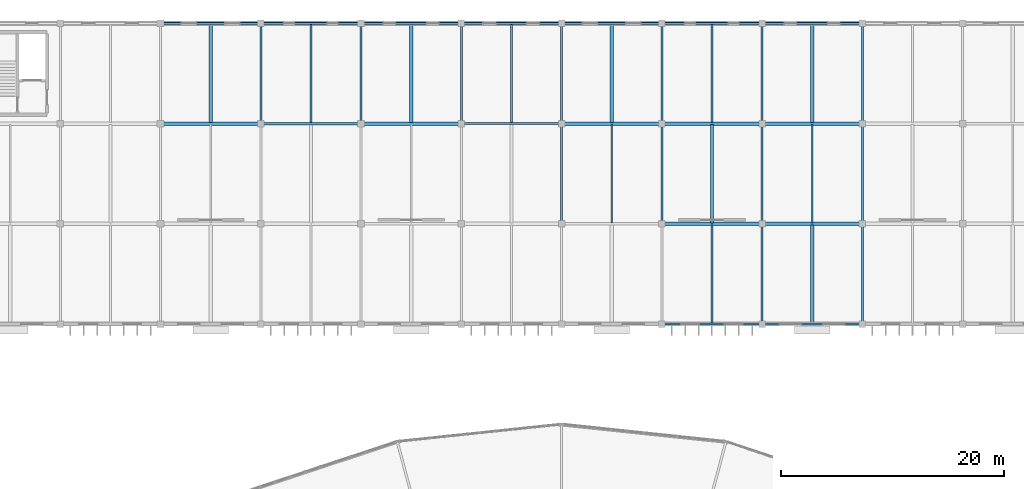
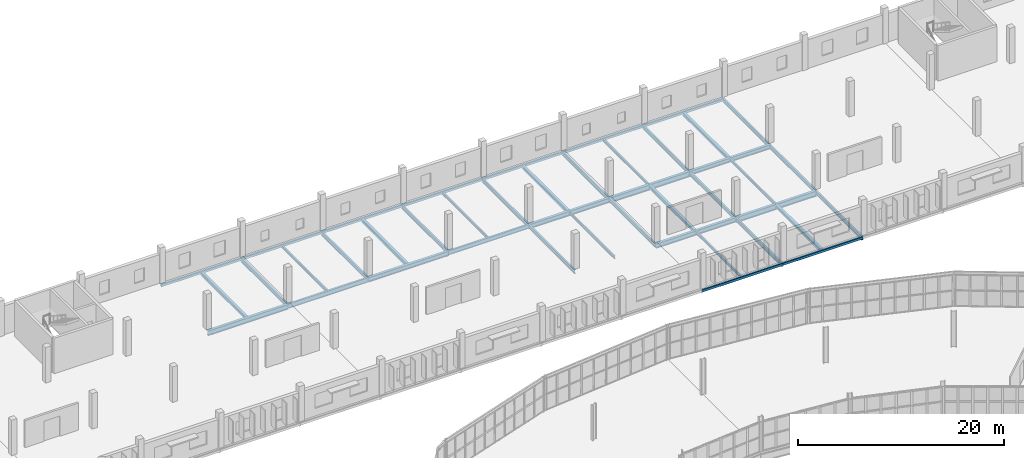
# One storey, part 100 of 161: 43 beams.
"""IFC4 building model written with IfcOpenShell, lengths in metres."""

from ifc_helpers import new_model, si_unit, direction, frame, origin, origin_2d, place, context, subcontext, project, spatial, hollow_rectangle, i_section, extrude, material, material_profile, profile_set, type_object, element, save


model = new_model("IFC4")

# Units and contexts
model_context = context("Model", 3, precision=1e-05, world=origin(), true_north=direction((0.0, 1.0)))
body_context = subcontext(model_context, "Body", "Model", "MODEL_VIEW")
ifc_project = project(units=[si_unit("LENGTHUNIT", "METRE"), si_unit("AREAUNIT", "SQUARE_METRE"), si_unit("VOLUMEUNIT", "CUBIC_METRE"), si_unit("PLANEANGLEUNIT", "RADIAN"), si_unit("MASSUNIT", "GRAM", prefix="KILO")], contexts=[model_context])

# Site, building, storey
site_placement = place(None, origin())
site = spatial("IfcSite", under=ifc_project, at=site_placement, CompositionType="ELEMENT")
building_placement = place(site_placement, origin())
building = spatial("IfcBuilding", under=site, at=building_placement, Name="Kildeholm Park Wholesale Market", CompositionType="ELEMENT")
storey_placement = place(building_placement, frame((0.0, 0.0, 5.39990234375)))
storey = spatial("IfcBuildingStorey", under=building, at=storey_placement, Name="L01", CompositionType="ELEMENT", Elevation=5.39990234375)

# Beams
ifc_material = material(Name="Steel S355", Category="steel")
ifc_material_profile_1 = material_profile(ifc_material, i_section(OverallWidth=0.18994140625, OverallDepth=0.449951171875, WebThickness=0.009521484375, FlangeThickness=0.0146484375, FilletRadius=0.02099609375, at=origin_2d()), Name="IPE 450")
ifc_profile_set_1 = profile_set([ifc_material_profile_1], Name="Steel S355")
beam_type_1 = type_object("IfcBeamType", Name="Beam B-P02 IPE 450", PredefinedType="BEAM", material=ifc_profile_set_1)
for number, where, z_axis, x_axis, name in (
    (1, (72.0, 162.0, -0.544921875), (0.0, 1.0, 0.0), (-1.0, 0.0, 0.0), "Beam BM-V4-L01-Y-072-162 BM-0566"),
    (2, (81.0, 162.0, -0.544921875), (0.0, 1.0, 0.0), (-1.0, 0.0, 0.0), "Beam BM-V4-L01-Y-081-162 BM-0576"),
    (3, (90.0, 162.0, -0.544921875), (0.0, 1.0, 0.0), (-1.0, 0.0, 0.0), "Beam BM-V4-L01-Y-090-162 BM-0586"),
    (4, (99.0, 153.0, -0.544921875), (0.0, 1.0, 0.0), (-1.0, 0.0, 0.0), "Beam BM-V4-L01-Y-099-153 BM-0593"),
    (5, (99.0, 162.0, -0.544921875), (0.0, 1.0, 0.0), (-1.0, 0.0, 0.0), "Beam BM-V4-L01-Y-099-162 BM-0596"),
    (6, (108.0, 153.0, -0.544921875), (0.0, 1.0, 0.0), (-1.0, 0.0, 0.0), "Beam BM-V4-L01-Y-108-153 BM-0603"),
    (7, (108.0, 162.0, -0.544921875), (0.0, 1.0, 0.0), (-1.0, 0.0, 0.0), "Beam BM-V4-L01-Y-108-162 BM-0606"),
    (8, (117.0, 144.0, -0.544921875), (0.0, 1.0, 0.0), (-1.0, 0.0, 0.0), "Beam BM-V4-L01-Y-117-144 BM-0610"),
    (9, (117.0, 153.0, -0.544921875), (0.0, 1.0, 0.0), (-1.0, 0.0, 0.0), "Beam BM-V4-L01-Y-117-153 BM-0613"),
    (10, (117.0, 162.0, -0.544921875), (0.0, 1.0, 0.0), (-1.0, 0.0, 0.0), "Beam BM-V4-L01-Y-117-162 BM-0616"),
    (11, (126.0, 144.0, -0.544921875), (0.0, 1.0, 0.0), (-1.0, 0.0, 0.0), "Beam BM-V4-L01-Y-126-144 BM-0620"),
    (12, (126.0, 153.0, -0.544921875), (0.0, 1.0, 0.0), (-1.0, 0.0, 0.0), "Beam BM-V4-L01-Y-126-153 BM-0623"),
    (13, (126.0, 162.0, -0.544921875), (0.0, 1.0, 0.0), (-1.0, 0.0, 0.0), "Beam BM-V4-L01-Y-126-162 BM-0626"),
):
    element("IfcBeam", number, at=place(storey_placement, frame(where, z_axis=z_axis, x_axis=x_axis)), inside=storey, type_object=beam_type_1, Name=name, PredefinedType="BEAM", context=body_context, shape_type="SweptSolid", body=[
        extrude(i_section(OverallWidth=0.18994140625, OverallDepth=0.449951171875, WebThickness=0.009521484375, FlangeThickness=0.0146484375, FilletRadius=0.02099609375, at=origin_2d()), origin(), (0.0, 0.0, 1.0), 9.0),
    ])
ifc_material_profile_2 = material_profile(ifc_material, i_section(OverallWidth=0.199951171875, OverallDepth=0.5, WebThickness=0.01025390625, FlangeThickness=0.01611328125, FilletRadius=0.02099609375, at=origin_2d()), Name="IPE 500")
ifc_profile_set_2 = profile_set([ifc_material_profile_2], Name="Steel S355")
beam_type_2 = type_object("IfcBeamType", Name="Beam B-P03 IPE 500", PredefinedType="BEAM", material=ifc_profile_set_2)
beam_1_placement = place(storey_placement, frame((90.0, 162.0, -0.56982421875), z_axis=(1.0, 0.0, 0.0), x_axis=(0.0, 1.0, 0.0)))
element("IfcBeam", 14, at=beam_1_placement, inside=storey, type_object=beam_type_2, Name="Beam BM-V4-L01-X-090-162 BM-0585", PredefinedType="BEAM", context=body_context, shape_type="SweptSolid", body=[
    extrude(i_section(OverallWidth=0.199951171875, OverallDepth=0.5, WebThickness=0.01025390625, FlangeThickness=0.01611328125, FilletRadius=0.02099609375, at=origin_2d()), origin(), (0.0, 0.0, 1.0), 9.0),
])
ifc_material_profile_3 = material_profile(ifc_material, i_section(OverallWidth=0.2099609375, OverallDepth=0.550048828125, WebThickness=0.010986328125, FlangeThickness=0.01708984375, FilletRadius=0.02392578125, at=origin_2d()), Name="IPE 550")
ifc_profile_set_3 = profile_set([ifc_material_profile_3], Name="Steel S355")
beam_type_3 = type_object("IfcBeamType", Name="Beam B-X01 IPE 550", PredefinedType="BEAM", material=ifc_profile_set_3)
beam_2_placement = place(storey_placement, frame((72.0, 162.0, -0.594970703125), z_axis=(1.0, 0.0, 0.0), x_axis=(0.0, 1.0, 0.0)))
element("IfcBeam", 15, at=beam_2_placement, inside=storey, type_object=beam_type_3, Name="Beam BM-V4-L01-X-072-162 BM-0565", PredefinedType="BEAM", context=body_context, shape_type="SweptSolid", body=[
    extrude(i_section(OverallWidth=0.2099609375, OverallDepth=0.550048828125, WebThickness=0.010986328125, FlangeThickness=0.01708984375, FilletRadius=0.02392578125, at=origin_2d()), origin(), (0.0, 0.0, 1.0), 9.0),
])
ifc_material_profile_4 = material_profile(ifc_material, i_section(OverallWidth=0.300048828125, OverallDepth=0.5400390625, WebThickness=0.012451171875, FlangeThickness=0.02392578125, FilletRadius=0.027099609375, at=origin_2d()), Name="HEA 550")
ifc_profile_set_4 = profile_set([ifc_material_profile_4], Name="Steel S355")
beam_type_4 = type_object("IfcBeamType", Name="Beam B-X02 HEA 550", PredefinedType="BEAM", material=ifc_profile_set_4)
beam_3_placement = place(storey_placement, frame((81.0, 162.0, -0.58984375), z_axis=(1.0, 0.0, 0.0), x_axis=(0.0, 1.0, 0.0)))
element("IfcBeam", 16, at=beam_3_placement, inside=storey, type_object=beam_type_4, Name="Beam BM-V4-L01-X-081-162 BM-0575", PredefinedType="BEAM", context=body_context, shape_type="SweptSolid", body=[
    extrude(i_section(OverallWidth=0.300048828125, OverallDepth=0.5400390625, WebThickness=0.012451171875, FlangeThickness=0.02392578125, FilletRadius=0.027099609375, at=origin_2d()), origin(), (0.0, 0.0, 1.0), 9.0),
])
ifc_material_profile_5 = material_profile(ifc_material, i_section(OverallWidth=0.300048828125, OverallDepth=0.550048828125, WebThickness=0.014892578125, FlangeThickness=0.029052734375, FilletRadius=0.027099609375, at=origin_2d()), Name="HEB 550")
ifc_profile_set_5 = profile_set([ifc_material_profile_5], Name="Steel S355")
beam_type_5 = type_object("IfcBeamType", Name="Beam B-X03 HEB 550", PredefinedType="BEAM", material=ifc_profile_set_5)
for number, where, z_axis, x_axis, name in (
    (17, (99.0, 162.0, -0.594970703125), (1.0, 0.0, 0.0), (0.0, 1.0, 0.0), "Beam BM-V4-L01-X-099-162 BM-0595"),
    (18, (108.0, 153.0, -0.594970703125), (1.0, 0.0, 0.0), (0.0, 1.0, 0.0), "Beam BM-V4-L01-X-108-153 BM-0602"),
):
    element("IfcBeam", number, at=place(storey_placement, frame(where, z_axis=z_axis, x_axis=x_axis)), inside=storey, type_object=beam_type_5, Name=name, PredefinedType="BEAM", context=body_context, shape_type="SweptSolid", body=[
        extrude(i_section(OverallWidth=0.300048828125, OverallDepth=0.550048828125, WebThickness=0.014892578125, FlangeThickness=0.029052734375, FilletRadius=0.027099609375, at=origin_2d()), origin(), (0.0, 0.0, 1.0), 9.0),
    ])
ifc_material_profile_6 = material_profile(ifc_material, i_section(OverallWidth=0.300048828125, OverallDepth=0.64990234375, WebThickness=0.01611328125, FlangeThickness=0.031005859375, FilletRadius=0.027099609375, at=origin_2d()), Name="HEB 650")
ifc_profile_set_6 = profile_set([ifc_material_profile_6], Name="Steel S355")
beam_type_6 = type_object("IfcBeamType", Name="Beam B-X04 HEB 650", PredefinedType="BEAM", material=ifc_profile_set_6)
for number, where, z_axis, x_axis, name in (
    (19, (108.0, 162.0, -0.64501953125), (1.0, 0.0, 0.0), (0.0, 1.0, 0.0), "Beam BM-V4-L01-X-108-162 BM-0605"),
    (20, (117.0, 153.0, -0.64501953125), (1.0, 0.0, 0.0), (0.0, 1.0, 0.0), "Beam BM-V4-L01-X-117-153 BM-0612"),
):
    element("IfcBeam", number, at=place(storey_placement, frame(where, z_axis=z_axis, x_axis=x_axis)), inside=storey, type_object=beam_type_6, Name=name, PredefinedType="BEAM", context=body_context, shape_type="SweptSolid", body=[
        extrude(i_section(OverallWidth=0.300048828125, OverallDepth=0.64990234375, WebThickness=0.01611328125, FlangeThickness=0.031005859375, FilletRadius=0.027099609375, at=origin_2d()), origin(), (0.0, 0.0, 1.0), 9.0),
    ])
ifc_material_profile_7 = material_profile(ifc_material, i_section(OverallWidth=0.300048828125, OverallDepth=0.5, WebThickness=0.014404296875, FlangeThickness=0.028076171875, FilletRadius=0.027099609375, at=origin_2d()), Name="HEB 500")
ifc_profile_set_7 = profile_set([ifc_material_profile_7], Name="Steel S355")
beam_type_7 = type_object("IfcBeamType", Name="Beam B-X05 HEB 500", PredefinedType="BEAM", material=ifc_profile_set_7)
beam_4_placement = place(storey_placement, frame((117.0, 162.0, -0.56982421875), z_axis=(1.0, 0.0, 0.0), x_axis=(0.0, 1.0, 0.0)))
element("IfcBeam", 21, at=beam_4_placement, inside=storey, type_object=beam_type_7, Name="Beam BM-V4-L01-X-117-162 BM-0615", PredefinedType="BEAM", context=body_context, shape_type="SweptSolid", body=[
    extrude(i_section(OverallWidth=0.300048828125, OverallDepth=0.5, WebThickness=0.014404296875, FlangeThickness=0.028076171875, FilletRadius=0.027099609375, at=origin_2d()), origin(), (0.0, 0.0, 1.0), 9.0),
])
ifc_material_profile_8 = material_profile(ifc_material, i_section(OverallWidth=0.300048828125, OverallDepth=0.60009765625, WebThickness=0.015380859375, FlangeThickness=0.030029296875, FilletRadius=0.027099609375, at=origin_2d()), Name="HEB 600")
ifc_profile_set_8 = profile_set([ifc_material_profile_8], Name="Steel S355")
beam_type_8 = type_object("IfcBeamType", Name="Beam B-X06 HEB 600", PredefinedType="BEAM", material=ifc_profile_set_8)
beam_5_placement = place(storey_placement, frame((63.0, 162.0, -0.619873046875), z_axis=(1.0, 0.0, 0.0), x_axis=(0.0, 1.0, 0.0)))
element("IfcBeam", 22, at=beam_5_placement, inside=storey, type_object=beam_type_8, Name="Beam BM-V4-L01-X-063-162 BM-0555", PredefinedType="BEAM", context=body_context, shape_type="SweptSolid", body=[
    extrude(i_section(OverallWidth=0.300048828125, OverallDepth=0.60009765625, WebThickness=0.015380859375, FlangeThickness=0.030029296875, FilletRadius=0.027099609375, at=origin_2d()), origin(), (0.0, 0.0, 1.0), 9.0),
])
ifc_material_profile_9 = material_profile(ifc_material, i_section(OverallWidth=0.159912109375, OverallDepth=0.330078125, WebThickness=0.007568359375, FlangeThickness=0.011474609375, FilletRadius=0.01806640625, at=origin_2d()), Name="IPE 330")
ifc_profile_set_9 = profile_set([ifc_material_profile_9], Name="Steel S355")
beam_type_9 = type_object("IfcBeamType", Name="Beam J-03 IPE 330", PredefinedType="JOIST", material=ifc_profile_set_9)
for number, where, z_axis, x_axis, name in (
    (23, (76.5, 162.0849609375, -0.48486328125), (0.0, 1.0, 0.0), (-1.0, 0.0, 0.0), "Beam JT-V4-L01-072-162 BM-0567"),
    (24, (94.5, 162.0849609375, -0.48486328125), (0.0, 1.0, 0.0), (-1.0, 0.0, 0.0), "Beam JT-V4-L01-090-162 BM-0587"),
    (25, (103.5, 153.0849609375, -0.48486328125), (0.0, 1.0, 0.0), (-1.0, 0.0, 0.0), "Beam JT-V4-L01-099-153 BM-0594"),
    (26, (112.5, 144.0849609375, -0.48486328125), (0.0, 1.0, 0.0), (-1.0, 0.0, 0.0), "Beam JT-V4-L01-108-144 BM-0601"),
    (27, (112.5, 162.0849609375, -0.48486328125), (0.0, 1.0, 0.0), (-1.0, 0.0, 0.0), "Beam JT-V4-L01-108-162 BM-0607"),
    (28, (121.5, 153.0849609375, -0.48486328125), (0.0, 1.0, 0.0), (-1.0, 0.0, 0.0), "Beam JT-V4-L01-117-153 BM-0614"),
):
    element("IfcBeam", number, at=place(storey_placement, frame(where, z_axis=z_axis, x_axis=x_axis)), inside=storey, type_object=beam_type_9, Name=name, PredefinedType="JOIST", context=body_context, shape_type="SweptSolid", body=[
        extrude(i_section(OverallWidth=0.159912109375, OverallDepth=0.330078125, WebThickness=0.007568359375, FlangeThickness=0.011474609375, FilletRadius=0.01806640625, at=origin_2d()), origin(), (0.0, 0.0, 1.0), 8.830078125),
    ])
ifc_material_profile_10 = material_profile(ifc_material, i_section(OverallWidth=0.300048828125, OverallDepth=0.389892578125, WebThickness=0.010986328125, FlangeThickness=0.01904296875, FilletRadius=0.027099609375, at=origin_2d()), Name="HEA 400")
ifc_profile_set_10 = profile_set([ifc_material_profile_10], Name="Steel S355")
beam_type_10 = type_object("IfcBeamType", Name="Beam J-06 HEA 400", PredefinedType="JOIST", material=ifc_profile_set_10)
for number, where, z_axis, x_axis, name in (
    (29, (67.5, 162.0849609375, -0.514892578125), (0.0, 1.0, 0.0), (-1.0, 0.0, 0.0), "Beam JT-V4-L01-063-162 BM-0557"),
    (30, (85.5, 162.0849609375, -0.514892578125), (0.0, 1.0, 0.0), (-1.0, 0.0, 0.0), "Beam JT-V4-L01-081-162 BM-0577"),
    (31, (103.5, 162.0849609375, -0.514892578125), (0.0, 1.0, 0.0), (-1.0, 0.0, 0.0), "Beam JT-V4-L01-099-162 BM-0597"),
    (32, (112.5, 153.0849609375, -0.514892578125), (0.0, 1.0, 0.0), (-1.0, 0.0, 0.0), "Beam JT-V4-L01-108-153 BM-0604"),
    (33, (121.5, 144.0849609375, -0.514892578125), (0.0, 1.0, 0.0), (-1.0, 0.0, 0.0), "Beam JT-V4-L01-117-144 BM-0611"),
    (34, (121.5, 162.0849609375, -0.514892578125), (0.0, 1.0, 0.0), (-1.0, 0.0, 0.0), "Beam JT-V4-L01-117-162 BM-0617"),
):
    element("IfcBeam", number, at=place(storey_placement, frame(where, z_axis=z_axis, x_axis=x_axis)), inside=storey, type_object=beam_type_10, Name=name, PredefinedType="JOIST", context=body_context, shape_type="SweptSolid", body=[
        extrude(i_section(OverallWidth=0.300048828125, OverallDepth=0.389892578125, WebThickness=0.010986328125, FlangeThickness=0.01904296875, FilletRadius=0.027099609375, at=origin_2d()), origin(), (0.0, 0.0, 1.0), 8.830078125),
    ])
ifc_material_profile_11 = material_profile(ifc_material, hollow_rectangle(XDim=0.199951171875, YDim=0.300048828125, WallThickness=0.012451171875, InnerFilletRadius=0.012451171875, OuterFilletRadius=0.02490234375, at=origin_2d()), Name="RHS 300x200x12.5")
ifc_profile_set_11 = profile_set([ifc_material_profile_11], Name="Steel S355")
beam_type_11 = type_object("IfcBeamType", Name="Beam SP-01 RHS 300x200x12.5", PredefinedType="SPANDREL", material=ifc_profile_set_11)
for number, where, z_axis, x_axis, name in (
    (35, (63.0, 171.0, -0.469970703125), (1.0, 0.0, 0.0), (0.0, 1.0, 0.0), "Beam BM-V4-L01-X-063-171 BM-0558"),
    (36, (72.0, 171.0, -0.469970703125), (1.0, 0.0, 0.0), (0.0, 1.0, 0.0), "Beam BM-V4-L01-X-072-171 BM-0568"),
    (37, (81.0, 171.0, -0.469970703125), (1.0, 0.0, 0.0), (0.0, 1.0, 0.0), "Beam BM-V4-L01-X-081-171 BM-0578"),
    (38, (90.0, 171.0, -0.469970703125), (1.0, 0.0, 0.0), (0.0, 1.0, 0.0), "Beam BM-V4-L01-X-090-171 BM-0588"),
    (39, (99.0, 171.0, -0.469970703125), (1.0, 0.0, 0.0), (0.0, 1.0, 0.0), "Beam BM-V4-L01-X-099-171 BM-0598"),
    (40, (108.0, 144.0, -0.469970703125), (1.0, 0.0, 0.0), (0.0, 1.0, 0.0), "Beam BM-V4-L01-X-108-144 BM-0599"),
    (41, (108.0, 171.0, -0.469970703125), (1.0, 0.0, 0.0), (0.0, 1.0, 0.0), "Beam BM-V4-L01-X-108-171 BM-0608"),
    (42, (117.0, 144.0, -0.469970703125), (1.0, 0.0, 0.0), (0.0, 1.0, 0.0), "Beam BM-V4-L01-X-117-144 BM-0609"),
    (43, (117.0, 171.0, -0.469970703125), (1.0, 0.0, 0.0), (0.0, 1.0, 0.0), "Beam BM-V4-L01-X-117-171 BM-0618"),
):
    element("IfcBeam", number, at=place(storey_placement, frame(where, z_axis=z_axis, x_axis=x_axis)), inside=storey, type_object=beam_type_11, Name=name, PredefinedType="SPANDREL", context=body_context, shape_type="SweptSolid", body=[
        extrude(hollow_rectangle(XDim=0.199951171875, YDim=0.300048828125, WallThickness=0.012451171875, InnerFilletRadius=0.012451171875, OuterFilletRadius=0.02490234375, at=origin_2d()), origin(), (0.0, 0.0, 1.0), 9.0),
    ])

save(model, "model.ifc")
